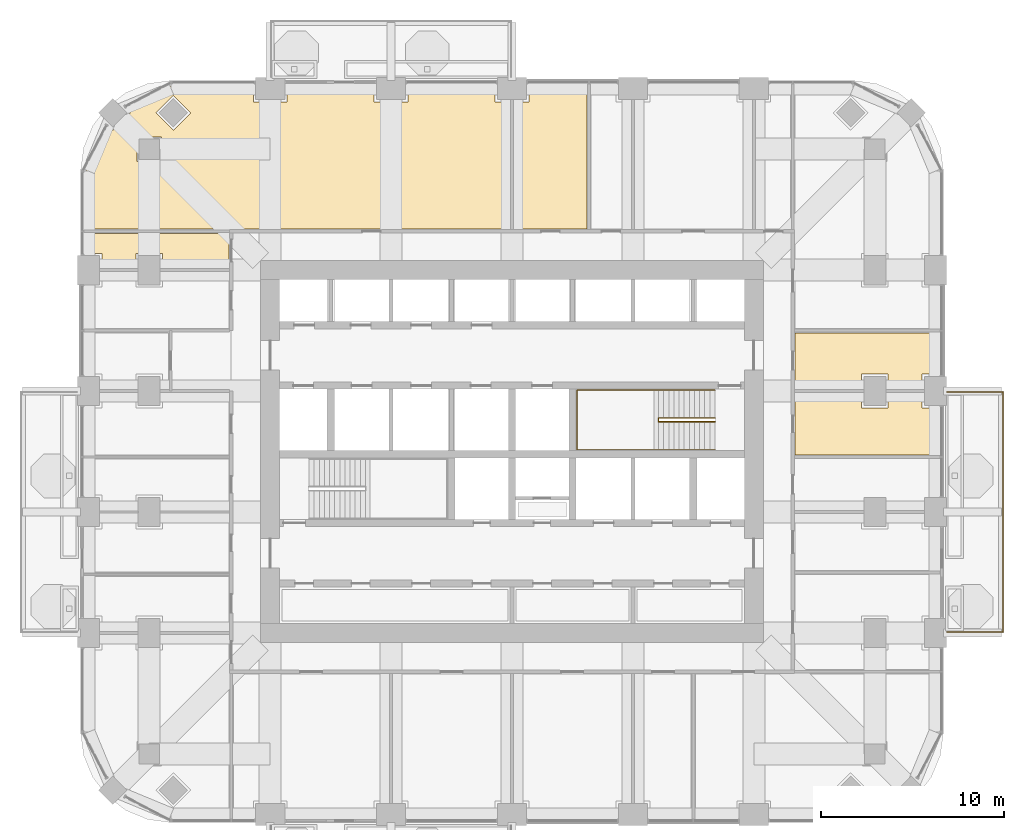
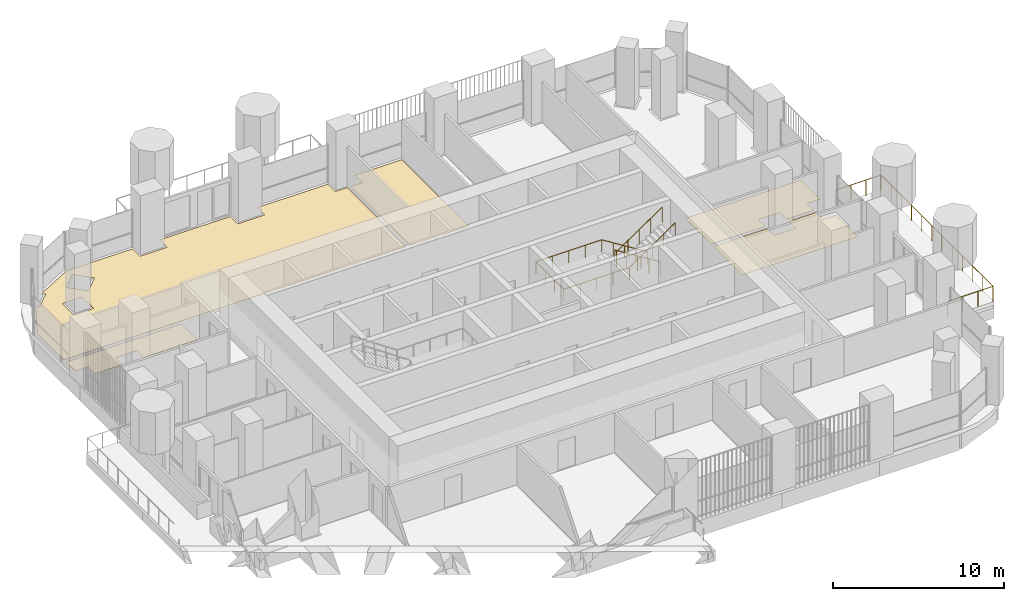
# One storey, part 18 of 20: 5 coverings, 3 railings.
"""IFC4 building model written with IfcOpenShell, lengths in metres."""

from ifc_helpers import new_model, si_unit, direction, frame, origin, place, context, subcontext, project, spatial, polyline, outline, extrude, material, layer, layer_set, type_object, element, save


model = new_model("IFC4")

# Units and contexts
model_context = context("Model", 3, precision=1e-05, world=origin(), true_north=direction((0.0, 1.0)))
body_context = subcontext(model_context, "Body", "Model", "MODEL_VIEW")
ifc_project = project(units=[si_unit("LENGTHUNIT", "METRE"), si_unit("AREAUNIT", "SQUARE_METRE"), si_unit("VOLUMEUNIT", "CUBIC_METRE"), si_unit("PLANEANGLEUNIT", "RADIAN"), si_unit("MASSUNIT", "GRAM", prefix="KILO")], contexts=[model_context])

# Site, building, storey
site_placement = place(None, origin())
site = spatial("IfcSite", under=ifc_project, at=site_placement, CompositionType="ELEMENT")
building_placement = place(site_placement, origin())
building = spatial("IfcBuilding", under=site, at=building_placement, Name="Cobogo Forest Laboratory Tower", CompositionType="ELEMENT")
storey_placement = place(building_placement, frame((0.0, 0.0, 185.10009765625)))
storey = spatial("IfcBuildingStorey", under=building, at=storey_placement, Name="L42", CompositionType="ELEMENT", Elevation=185.10009765625)

# Railing
ifc_material_1 = material(Name="Laminated glass balustrade", Category="glass")
railing_type_1 = type_object("IfcRailingType", Name="BG1 glass balustrade 1100", PredefinedType="GUARDRAIL", material=ifc_material_1)
railing_1_placement = place(storey_placement, frame((50.14990234375, 13.25, 0.0)))
element("IfcRailing", 1, at=railing_1_placement, inside=storey, type_object=railing_type_1, Name="Balcony balustrade BAL-E1 L42", PredefinedType="GUARDRAIL", context=body_context, shape_type="SweptSolid", body=[
    extrude(outline(polyline([(0.022216796875, 0.00927734375), (0.00927734375, 0.022216796875), (-0.00927734375, 0.022216796875), (-0.022216796875, 0.00927734375), (-0.022216796875, -0.00927734375), (-0.00927734375, -0.022216796875), (0.00927734375, -0.022216796875), (0.022216796875, -0.00927734375), (0.022216796875, 0.00927734375)])), frame((0.0, 0.0, 1.077880859375), z_axis=(1.0, 0.0, 0.0), x_axis=(0.0, 1.0, 0.0)), (0.0, 0.0, 1.0), 3.050048828125),
    extrude(outline(polyline([(0.022216796875, 0.00927734375), (0.00927734375, 0.022216796875), (-0.00927734375, 0.022216796875), (-0.022216796875, 0.00927734375), (-0.022216796875, -0.00927734375), (-0.00927734375, -0.022216796875), (0.00927734375, -0.022216796875), (0.022216796875, -0.00927734375), (0.022216796875, 0.00927734375)])), frame((3.050048828125, 0.0, 1.077880859375), z_axis=(0.0, 1.0, 0.0), x_axis=(-1.0, 0.0, 0.0)), (0.0, 0.0, 1.0), 13.10009765625),
    extrude(outline(polyline([(0.022216796875, 0.00927734375), (0.00927734375, 0.022216796875), (-0.00927734375, 0.022216796875), (-0.022216796875, 0.00927734375), (-0.022216796875, -0.00927734375), (-0.00927734375, -0.022216796875), (0.00927734375, -0.022216796875), (0.022216796875, -0.00927734375), (0.022216796875, 0.00927734375)])), frame((3.050048828125, 13.10009765625, 1.077880859375), z_axis=(-1.0, 0.0, 0.0), x_axis=(0.0, -1.0, 0.0)), (0.0, 0.0, 1.0), 3.050048828125),
    extrude(outline(polyline([(0.019287109375, 0.008056640625), (0.008056640625, 0.019287109375), (-0.008056640625, 0.019287109375), (-0.019287109375, 0.008056640625), (-0.019287109375, -0.008056640625), (-0.008056640625, -0.019287109375), (0.008056640625, -0.019287109375), (0.019287109375, -0.008056640625), (0.019287109375, 0.008056640625)])), origin(), (0.0, 0.0, 1.0), 1.077880859375),
    extrude(outline(polyline([(0.019287109375, 0.008056640625), (0.008056640625, 0.019287109375), (-0.008056640625, 0.019287109375), (-0.019287109375, 0.008056640625), (-0.019287109375, -0.008056640625), (-0.008056640625, -0.019287109375), (0.008056640625, -0.019287109375), (0.019287109375, -0.008056640625), (0.019287109375, 0.008056640625)])), frame((1.0166015625, 0.0, 0.0)), (0.0, 0.0, 1.0), 1.077880859375),
    extrude(outline(polyline([(0.019287109375, 0.008056640625), (0.008056640625, 0.019287109375), (-0.008056640625, 0.019287109375), (-0.019287109375, 0.008056640625), (-0.019287109375, -0.008056640625), (-0.008056640625, -0.019287109375), (0.008056640625, -0.019287109375), (0.019287109375, -0.008056640625), (0.019287109375, 0.008056640625)])), frame((2.033447265625, 0.0, 0.0)), (0.0, 0.0, 1.0), 1.077880859375),
    extrude(outline(polyline([(0.019287109375, 0.008056640625), (0.008056640625, 0.019287109375), (-0.008056640625, 0.019287109375), (-0.019287109375, 0.008056640625), (-0.019287109375, -0.008056640625), (-0.008056640625, -0.019287109375), (0.008056640625, -0.019287109375), (0.019287109375, -0.008056640625), (0.019287109375, 0.008056640625)])), frame((3.050048828125, 0.0, 0.0)), (0.0, 0.0, 1.0), 1.077880859375),
    extrude(outline(polyline([(0.019287109375, 0.008056640625), (0.008056640625, 0.019287109375), (-0.008056640625, 0.019287109375), (-0.019287109375, 0.008056640625), (-0.019287109375, -0.008056640625), (-0.008056640625, -0.019287109375), (0.008056640625, -0.019287109375), (0.019287109375, -0.008056640625), (0.019287109375, 0.008056640625)])), frame((3.050048828125, 1.19091796875, 0.0)), (0.0, 0.0, 1.0), 1.077880859375),
    extrude(outline(polyline([(0.019287109375, 0.008056640625), (0.008056640625, 0.019287109375), (-0.008056640625, 0.019287109375), (-0.019287109375, 0.008056640625), (-0.019287109375, -0.008056640625), (-0.008056640625, -0.019287109375), (0.008056640625, -0.019287109375), (0.019287109375, -0.008056640625), (0.019287109375, 0.008056640625)])), frame((3.050048828125, 2.3818359375, 0.0)), (0.0, 0.0, 1.0), 1.077880859375),
    extrude(outline(polyline([(0.019287109375, 0.008056640625), (0.008056640625, 0.019287109375), (-0.008056640625, 0.019287109375), (-0.019287109375, 0.008056640625), (-0.019287109375, -0.008056640625), (-0.008056640625, -0.019287109375), (0.008056640625, -0.019287109375), (0.019287109375, -0.008056640625), (0.019287109375, 0.008056640625)])), frame((3.050048828125, 3.57275390625, 0.0)), (0.0, 0.0, 1.0), 1.077880859375),
    extrude(outline(polyline([(0.019287109375, 0.008056640625), (0.008056640625, 0.019287109375), (-0.008056640625, 0.019287109375), (-0.019287109375, 0.008056640625), (-0.019287109375, -0.008056640625), (-0.008056640625, -0.019287109375), (0.008056640625, -0.019287109375), (0.019287109375, -0.008056640625), (0.019287109375, 0.008056640625)])), frame((3.050048828125, 4.763671875, 0.0)), (0.0, 0.0, 1.0), 1.077880859375),
    extrude(outline(polyline([(0.019287109375, 0.008056640625), (0.008056640625, 0.019287109375), (-0.008056640625, 0.019287109375), (-0.019287109375, 0.008056640625), (-0.019287109375, -0.008056640625), (-0.008056640625, -0.019287109375), (0.008056640625, -0.019287109375), (0.019287109375, -0.008056640625), (0.019287109375, 0.008056640625)])), frame((3.050048828125, 5.95458984375, 0.0)), (0.0, 0.0, 1.0), 1.077880859375),
    extrude(outline(polyline([(0.019287109375, 0.008056640625), (0.008056640625, 0.019287109375), (-0.008056640625, 0.019287109375), (-0.019287109375, 0.008056640625), (-0.019287109375, -0.008056640625), (-0.008056640625, -0.019287109375), (0.008056640625, -0.019287109375), (0.019287109375, -0.008056640625), (0.019287109375, 0.008056640625)])), frame((3.050048828125, 7.1455078125, 0.0)), (0.0, 0.0, 1.0), 1.077880859375),
    extrude(outline(polyline([(0.019287109375, 0.008056640625), (0.008056640625, 0.019287109375), (-0.008056640625, 0.019287109375), (-0.019287109375, 0.008056640625), (-0.019287109375, -0.008056640625), (-0.008056640625, -0.019287109375), (0.008056640625, -0.019287109375), (0.019287109375, -0.008056640625), (0.019287109375, 0.008056640625)])), frame((3.050048828125, 8.33642578125, 0.0)), (0.0, 0.0, 1.0), 1.077880859375),
    extrude(outline(polyline([(0.019287109375, 0.008056640625), (0.008056640625, 0.019287109375), (-0.008056640625, 0.019287109375), (-0.019287109375, 0.008056640625), (-0.019287109375, -0.008056640625), (-0.008056640625, -0.019287109375), (0.008056640625, -0.019287109375), (0.019287109375, -0.008056640625), (0.019287109375, 0.008056640625)])), frame((3.050048828125, 9.52734375, 0.0)), (0.0, 0.0, 1.0), 1.077880859375),
    extrude(outline(polyline([(0.019287109375, 0.008056640625), (0.008056640625, 0.019287109375), (-0.008056640625, 0.019287109375), (-0.019287109375, 0.008056640625), (-0.019287109375, -0.008056640625), (-0.008056640625, -0.019287109375), (0.008056640625, -0.019287109375), (0.019287109375, -0.008056640625), (0.019287109375, 0.008056640625)])), frame((3.050048828125, 10.71826171875, 0.0)), (0.0, 0.0, 1.0), 1.077880859375),
    extrude(outline(polyline([(0.019287109375, 0.008056640625), (0.008056640625, 0.019287109375), (-0.008056640625, 0.019287109375), (-0.019287109375, 0.008056640625), (-0.019287109375, -0.008056640625), (-0.008056640625, -0.019287109375), (0.008056640625, -0.019287109375), (0.019287109375, -0.008056640625), (0.019287109375, 0.008056640625)])), frame((3.050048828125, 11.9091796875, 0.0)), (0.0, 0.0, 1.0), 1.077880859375),
    extrude(outline(polyline([(0.019287109375, 0.008056640625), (0.008056640625, 0.019287109375), (-0.008056640625, 0.019287109375), (-0.019287109375, 0.008056640625), (-0.019287109375, -0.008056640625), (-0.008056640625, -0.019287109375), (0.008056640625, -0.019287109375), (0.019287109375, -0.008056640625), (0.019287109375, 0.008056640625)])), frame((3.050048828125, 13.10009765625, 0.0)), (0.0, 0.0, 1.0), 1.077880859375),
    extrude(outline(polyline([(0.019287109375, 0.008056640625), (0.008056640625, 0.019287109375), (-0.008056640625, 0.019287109375), (-0.019287109375, 0.008056640625), (-0.019287109375, -0.008056640625), (-0.008056640625, -0.019287109375), (0.008056640625, -0.019287109375), (0.019287109375, -0.008056640625), (0.019287109375, 0.008056640625)])), frame((2.033447265625, 13.10009765625, 0.0)), (0.0, 0.0, 1.0), 1.077880859375),
    extrude(outline(polyline([(0.019287109375, 0.008056640625), (0.008056640625, 0.019287109375), (-0.008056640625, 0.019287109375), (-0.019287109375, 0.008056640625), (-0.019287109375, -0.008056640625), (-0.008056640625, -0.019287109375), (0.008056640625, -0.019287109375), (0.019287109375, -0.008056640625), (0.019287109375, 0.008056640625)])), frame((1.0166015625, 13.10009765625, 0.0)), (0.0, 0.0, 1.0), 1.077880859375),
    extrude(outline(polyline([(0.019287109375, 0.008056640625), (0.008056640625, 0.019287109375), (-0.008056640625, 0.019287109375), (-0.019287109375, 0.008056640625), (-0.019287109375, -0.008056640625), (-0.008056640625, -0.019287109375), (0.008056640625, -0.019287109375), (0.019287109375, -0.008056640625), (0.019287109375, 0.008056640625)])), frame((0.0, 13.10009765625, 0.0)), (0.0, 0.0, 1.0), 1.077880859375),
])

# Coverings
ifc_material_2 = material(Name="Carpet tile on raised access floor", Category="flooring")
ifc_layer_1 = layer(ifc_material_2, 0.008056640625)
ifc_layer_set_1 = layer_set([ifc_layer_1], Name="CT1 carpet tile floor 8")
covering_type_1 = type_object("IfcCoveringType", Name="CT1 carpet tile floor 8", PredefinedType="FLOORING", material=ifc_layer_set_1)
covering_1_placement = place(storey_placement, origin())
element("IfcCovering", 2, at=covering_1_placement, inside=storey, type_object=covering_type_1, Name="Carpet floor L42-10", PredefinedType="FLOORING", context=body_context, shape_type="SweptSolid", body=[
    extrude(outline(polyline([(41.844970703125, 29.580078125), (49.64990234375, 29.580078125), (49.64990234375, 27.320068359375), (48.780029296875, 27.320068359375), (48.780029296875, 26.52001953125), (46.919921875, 26.52001953125), (46.919921875, 27.320068359375), (45.47998046875, 27.320068359375), (45.47998046875, 26.52001953125), (41.844970703125, 26.52001953125), (41.844970703125, 29.580078125)])), origin(), (0.0, 0.0, 1.0), 0.0078125),
])
covering_2_placement = place(storey_placement, origin())
element("IfcCovering", 3, at=covering_2_placement, inside=storey, type_object=covering_type_1, Name="Carpet floor L42-12", PredefinedType="FLOORING", context=body_context, shape_type="SweptSolid", body=[
    extrude(outline(polyline([(3.14990234375, 35.2451171875), (3.14990234375, 38.350830078125), (4.440185546875, 40.812255859375), (4.617919921875, 40.634521484375), (5.5654296875, 41.58203125), (5.387939453125, 41.759765625), (7.84912109375, 43.050048828125), (12.280029296875, 43.050048828125), (12.280029296875, 42.179931640625), (14.1201171875, 42.179931640625), (14.1201171875, 43.050048828125), (18.8798828125, 43.050048828125), (18.8798828125, 42.179931640625), (20.719970703125, 42.179931640625), (20.719970703125, 43.050048828125), (25.47998046875, 43.050048828125), (25.47998046875, 42.179931640625), (26.280029296875, 42.179931640625), (26.280029296875, 35.2451171875), (3.14990234375, 35.2451171875)]), holes=[polyline([(7.91796875, 40.634521484375), (8.865478515625, 41.58203125), (7.91796875, 42.529541015625), (6.970458984375, 41.58203125), (7.91796875, 40.634521484375)]), polyline([(5.929931640625, 38.929931640625), (7.27001953125, 38.929931640625), (7.27001953125, 40.27001953125), (5.929931640625, 40.27001953125), (5.929931640625, 38.929931640625)])]), origin(), (0.0, 0.0, 1.0), 0.0078125),
])
covering_3_placement = place(storey_placement, origin())
element("IfcCovering", 4, at=covering_3_placement, inside=storey, type_object=covering_type_1, Name="Carpet floor L42-13", PredefinedType="FLOORING", context=body_context, shape_type="SweptSolid", body=[
    extrude(outline(polyline([(26.52001953125, 35.2451171875), (26.52001953125, 42.179931640625), (27.320068359375, 42.179931640625), (27.320068359375, 43.050048828125), (30.47998046875, 43.050048828125), (30.47998046875, 35.2451171875), (26.52001953125, 35.2451171875)])), origin(), (0.0, 0.0, 1.0), 0.0078125),
])

# Railings
ifc_material_3 = material(Name="Steel balustrade", Category="steel")
railing_type_2 = type_object("IfcRailingType", Name="GR stair guard 1100", PredefinedType="GUARDRAIL", material=ifc_material_3)
railing_2_placement = place(storey_placement, frame((37.47509765625, 24.929931640625, 0.1748046875)))
element("IfcRailing", 5, at=railing_2_placement, inside=storey, type_object=railing_type_2, Name="Stair guard ST2 L42", PredefinedType="GUARDRAIL", context=body_context, shape_type="SweptSolid", body=[
    extrude(outline(polyline([(0.022216796875, 0.00927734375), (0.00927734375, 0.022216796875), (-0.00927734375, 0.022216796875), (-0.022216796875, 0.00927734375), (-0.022216796875, -0.00927734375), (-0.00927734375, -0.022216796875), (0.00927734375, -0.022216796875), (0.022216796875, -0.00927734375), (0.022216796875, 0.00927734375)])), frame((0.0, 0.0, 1.077880859375), z_axis=(-0.847998304005, 0.0, 0.529998940003), x_axis=(0.0, -1.0, 0.0)), (0.0, 0.0, 1.0), 3.632080078125),
    extrude(outline(polyline([(0.022216796875, 0.00927734375), (0.00927734375, 0.022216796875), (-0.00927734375, 0.022216796875), (-0.022216796875, 0.00927734375), (-0.022216796875, -0.00927734375), (-0.00927734375, -0.022216796875), (0.00927734375, -0.022216796875), (0.022216796875, -0.00927734375), (0.022216796875, 0.00927734375)])), frame((-3.080078125, 0.0, 3.0029296875), z_axis=(0.0, -1.0, 0.0), x_axis=(1.0, 0.0, 0.0)), (0.0, 0.0, 1.0), 0.2099609375),
    extrude(outline(polyline([(0.022216796875, 0.00927734375), (0.00927734375, 0.022216796875), (-0.00927734375, 0.022216796875), (-0.022216796875, 0.00927734375), (-0.022216796875, -0.00927734375), (-0.00927734375, -0.022216796875), (0.00927734375, -0.022216796875), (0.022216796875, -0.00927734375), (0.022216796875, 0.00927734375)])), frame((-3.080078125, -0.2099609375, 3.0029296875), z_axis=(0.826221800596, 0.0, 0.563344953133), x_axis=(0.0, 1.0, 0.0)), (0.0, 0.0, 1.0), 3.72802734375),
    extrude(outline(polyline([(0.019287109375, 0.008056640625), (0.008056640625, 0.019287109375), (-0.008056640625, 0.019287109375), (-0.019287109375, 0.008056640625), (-0.019287109375, -0.008056640625), (-0.008056640625, -0.019287109375), (0.008056640625, -0.019287109375), (0.019287109375, -0.008056640625), (0.019287109375, 0.008056640625)])), origin(), (0.0, 0.0, 1.0), 1.077880859375),
    extrude(outline(polyline([(0.019287109375, 0.008056640625), (0.008056640625, 0.019287109375), (-0.008056640625, 0.019287109375), (-0.019287109375, 0.008056640625), (-0.019287109375, -0.008056640625), (-0.008056640625, -0.019287109375), (0.008056640625, -0.019287109375), (0.019287109375, -0.008056640625), (0.019287109375, 0.008056640625)])), frame((-0.77001953125, 0.0, 0.481201171875)), (0.0, 0.0, 1.0), 1.077880859375),
    extrude(outline(polyline([(0.019287109375, 0.008056640625), (0.008056640625, 0.019287109375), (-0.008056640625, 0.019287109375), (-0.019287109375, 0.008056640625), (-0.019287109375, -0.008056640625), (-0.008056640625, -0.019287109375), (0.008056640625, -0.019287109375), (0.019287109375, -0.008056640625), (0.019287109375, 0.008056640625)])), frame((-1.5400390625, 0.0, 0.96240234375)), (0.0, 0.0, 1.0), 1.077880859375),
    extrude(outline(polyline([(0.019287109375, 0.008056640625), (0.008056640625, 0.019287109375), (-0.008056640625, 0.019287109375), (-0.019287109375, 0.008056640625), (-0.019287109375, -0.008056640625), (-0.008056640625, -0.019287109375), (0.008056640625, -0.019287109375), (0.019287109375, -0.008056640625), (0.019287109375, 0.008056640625)])), frame((-2.31005859375, 0.0, 1.44384765625)), (0.0, 0.0, 1.0), 1.077880859375),
    extrude(outline(polyline([(0.019287109375, 0.008056640625), (0.008056640625, 0.019287109375), (-0.008056640625, 0.019287109375), (-0.019287109375, 0.008056640625), (-0.019287109375, -0.008056640625), (-0.008056640625, -0.019287109375), (0.008056640625, -0.019287109375), (0.019287109375, -0.008056640625), (0.019287109375, 0.008056640625)])), frame((-3.080078125, 0.0, 1.925048828125)), (0.0, 0.0, 1.0), 1.077880859375),
    extrude(outline(polyline([(0.019287109375, 0.008056640625), (0.008056640625, 0.019287109375), (-0.008056640625, 0.019287109375), (-0.019287109375, 0.008056640625), (-0.019287109375, -0.008056640625), (-0.008056640625, -0.019287109375), (0.008056640625, -0.019287109375), (0.019287109375, -0.008056640625), (0.019287109375, 0.008056640625)])), frame((-3.080078125, -0.2099609375, 1.925048828125)), (0.0, 0.0, 1.0), 1.077880859375),
    extrude(outline(polyline([(0.019287109375, 0.008056640625), (0.008056640625, 0.019287109375), (-0.008056640625, 0.019287109375), (-0.019287109375, 0.008056640625), (-0.019287109375, -0.008056640625), (-0.008056640625, -0.019287109375), (0.008056640625, -0.019287109375), (0.019287109375, -0.008056640625), (0.019287109375, 0.008056640625)])), frame((-2.31005859375, -0.2099609375, 2.4501953125)), (0.0, 0.0, 1.0), 1.077880859375),
    extrude(outline(polyline([(0.019287109375, 0.008056640625), (0.008056640625, 0.019287109375), (-0.008056640625, 0.019287109375), (-0.019287109375, 0.008056640625), (-0.019287109375, -0.008056640625), (-0.008056640625, -0.019287109375), (0.008056640625, -0.019287109375), (0.019287109375, -0.008056640625), (0.019287109375, 0.008056640625)])), frame((-1.5400390625, -0.2099609375, 2.97509765625)), (0.0, 0.0, 1.0), 1.077880859375),
    extrude(outline(polyline([(0.019287109375, 0.008056640625), (0.008056640625, 0.019287109375), (-0.008056640625, 0.019287109375), (-0.019287109375, 0.008056640625), (-0.019287109375, -0.008056640625), (-0.008056640625, -0.019287109375), (0.008056640625, -0.019287109375), (0.019287109375, -0.008056640625), (0.019287109375, 0.008056640625)])), frame((-0.77001953125, -0.2099609375, 3.5)), (0.0, 0.0, 1.0), 1.077880859375),
    extrude(outline(polyline([(0.019287109375, 0.008056640625), (0.008056640625, 0.019287109375), (-0.008056640625, 0.019287109375), (-0.019287109375, 0.008056640625), (-0.019287109375, -0.008056640625), (-0.008056640625, -0.019287109375), (0.008056640625, -0.019287109375), (0.019287109375, -0.008056640625), (0.019287109375, 0.008056640625)])), frame((0.0, -0.2099609375, 4.025146484375)), (0.0, 0.0, 1.0), 1.077880859375),
])
ifc_material_4 = material(Name="Stainless steel handrail", Category="steel")
railing_type_3 = type_object("IfcRailingType", Name="HR handrail 900", PredefinedType="HANDRAIL", material=ifc_material_4)
railing_3_placement = place(storey_placement, frame((37.47509765625, 26.449951171875, 0.1748046875)))
element("IfcRailing", 6, at=railing_3_placement, inside=storey, type_object=railing_type_3, Name="Stair handrail ST2 L42", PredefinedType="HANDRAIL", context=body_context, shape_type="SweptSolid", body=[
    extrude(outline(polyline([(0.022216796875, 0.00927734375), (0.00927734375, 0.022216796875), (-0.00927734375, 0.022216796875), (-0.022216796875, 0.00927734375), (-0.022216796875, -0.00927734375), (-0.00927734375, -0.022216796875), (0.00927734375, -0.022216796875), (0.022216796875, -0.00927734375), (0.022216796875, 0.00927734375)])), frame((0.0, 0.0, 0.877685546875), z_axis=(-0.847998304005, 0.0, 0.529998940003), x_axis=(0.0, -1.0, 0.0)), (0.0, 0.0, 1.0), 3.632080078125),
    extrude(outline(polyline([(0.022216796875, 0.00927734375), (0.00927734375, 0.022216796875), (-0.00927734375, 0.022216796875), (-0.022216796875, 0.00927734375), (-0.022216796875, -0.00927734375), (-0.00927734375, -0.022216796875), (0.00927734375, -0.022216796875), (0.022216796875, -0.00927734375), (0.022216796875, 0.00927734375)])), frame((-3.080078125, 0.0, 2.802734375), z_axis=(-1.0, 0.0, 0.0), x_axis=(0.0, -1.0, 0.0)), (0.0, 0.0, 1.0), 4.445068359375),
    extrude(outline(polyline([(0.022216796875, 0.00927734375), (0.00927734375, 0.022216796875), (-0.00927734375, 0.022216796875), (-0.022216796875, 0.00927734375), (-0.022216796875, -0.00927734375), (-0.00927734375, -0.022216796875), (0.00927734375, -0.022216796875), (0.022216796875, -0.00927734375), (0.022216796875, 0.00927734375)])), frame((-7.525146484375, 0.0, 2.802734375), z_axis=(0.0, -1.0, 0.0), x_axis=(1.0, 0.0, 0.0)), (0.0, 0.0, 1.0), 3.25),
    extrude(outline(polyline([(0.022216796875, 0.00927734375), (0.00927734375, 0.022216796875), (-0.00927734375, 0.022216796875), (-0.022216796875, 0.00927734375), (-0.022216796875, -0.00927734375), (-0.00927734375, -0.022216796875), (0.00927734375, -0.022216796875), (0.022216796875, -0.00927734375), (0.022216796875, 0.00927734375)])), frame((-7.525146484375, -3.25, 2.802734375), z_axis=(1.0, 0.0, 0.0), x_axis=(0.0, 1.0, 0.0)), (0.0, 0.0, 1.0), 4.445068359375),
    extrude(outline(polyline([(0.022216796875, 0.00927734375), (0.00927734375, 0.022216796875), (-0.00927734375, 0.022216796875), (-0.022216796875, 0.00927734375), (-0.022216796875, -0.00927734375), (-0.00927734375, -0.022216796875), (0.00927734375, -0.022216796875), (0.022216796875, -0.00927734375), (0.022216796875, 0.00927734375)])), frame((-3.080078125, -3.25, 2.802734375), z_axis=(0.826221800596, 0.0, 0.563344953133), x_axis=(0.0, 1.0, 0.0)), (0.0, 0.0, 1.0), 3.72802734375),
    extrude(outline(polyline([(0.019287109375, 0.008056640625), (0.008056640625, 0.019287109375), (-0.008056640625, 0.019287109375), (-0.019287109375, 0.008056640625), (-0.019287109375, -0.008056640625), (-0.008056640625, -0.019287109375), (0.008056640625, -0.019287109375), (0.019287109375, -0.008056640625), (0.019287109375, 0.008056640625)])), origin(), (0.0, 0.0, 1.0), 0.877685546875),
    extrude(outline(polyline([(0.019287109375, 0.008056640625), (0.008056640625, 0.019287109375), (-0.008056640625, 0.019287109375), (-0.019287109375, 0.008056640625), (-0.019287109375, -0.008056640625), (-0.008056640625, -0.019287109375), (0.008056640625, -0.019287109375), (0.019287109375, -0.008056640625), (0.019287109375, 0.008056640625)])), frame((-0.77001953125, 0.0, 0.481201171875)), (0.0, 0.0, 1.0), 0.877685546875),
    extrude(outline(polyline([(0.019287109375, 0.008056640625), (0.008056640625, 0.019287109375), (-0.008056640625, 0.019287109375), (-0.019287109375, 0.008056640625), (-0.019287109375, -0.008056640625), (-0.008056640625, -0.019287109375), (0.008056640625, -0.019287109375), (0.019287109375, -0.008056640625), (0.019287109375, 0.008056640625)])), frame((-1.5400390625, 0.0, 0.96240234375)), (0.0, 0.0, 1.0), 0.877685546875),
    extrude(outline(polyline([(0.019287109375, 0.008056640625), (0.008056640625, 0.019287109375), (-0.008056640625, 0.019287109375), (-0.019287109375, 0.008056640625), (-0.019287109375, -0.008056640625), (-0.008056640625, -0.019287109375), (0.008056640625, -0.019287109375), (0.019287109375, -0.008056640625), (0.019287109375, 0.008056640625)])), frame((-2.31005859375, 0.0, 1.44384765625)), (0.0, 0.0, 1.0), 0.877685546875),
    extrude(outline(polyline([(0.019287109375, 0.008056640625), (0.008056640625, 0.019287109375), (-0.008056640625, 0.019287109375), (-0.019287109375, 0.008056640625), (-0.019287109375, -0.008056640625), (-0.008056640625, -0.019287109375), (0.008056640625, -0.019287109375), (0.019287109375, -0.008056640625), (0.019287109375, 0.008056640625)])), frame((-3.080078125, 0.0, 1.925048828125)), (0.0, 0.0, 1.0), 0.877685546875),
    extrude(outline(polyline([(0.019287109375, 0.008056640625), (0.008056640625, 0.019287109375), (-0.008056640625, 0.019287109375), (-0.019287109375, 0.008056640625), (-0.019287109375, -0.008056640625), (-0.008056640625, -0.019287109375), (0.008056640625, -0.019287109375), (0.019287109375, -0.008056640625), (0.019287109375, 0.008056640625)])), frame((-4.19140625, 0.0, 1.925048828125)), (0.0, 0.0, 1.0), 0.877685546875),
    extrude(outline(polyline([(0.019287109375, 0.008056640625), (0.008056640625, 0.019287109375), (-0.008056640625, 0.019287109375), (-0.019287109375, 0.008056640625), (-0.019287109375, -0.008056640625), (-0.008056640625, -0.019287109375), (0.008056640625, -0.019287109375), (0.019287109375, -0.008056640625), (0.019287109375, 0.008056640625)])), frame((-5.302734375, 0.0, 1.925048828125)), (0.0, 0.0, 1.0), 0.877685546875),
    extrude(outline(polyline([(0.019287109375, 0.008056640625), (0.008056640625, 0.019287109375), (-0.008056640625, 0.019287109375), (-0.019287109375, 0.008056640625), (-0.019287109375, -0.008056640625), (-0.008056640625, -0.019287109375), (0.008056640625, -0.019287109375), (0.019287109375, -0.008056640625), (0.019287109375, 0.008056640625)])), frame((-6.413818359375, 0.0, 1.925048828125)), (0.0, 0.0, 1.0), 0.877685546875),
    extrude(outline(polyline([(0.019287109375, 0.008056640625), (0.008056640625, 0.019287109375), (-0.008056640625, 0.019287109375), (-0.019287109375, 0.008056640625), (-0.019287109375, -0.008056640625), (-0.008056640625, -0.019287109375), (0.008056640625, -0.019287109375), (0.019287109375, -0.008056640625), (0.019287109375, 0.008056640625)])), frame((-7.525146484375, 0.0, 1.925048828125)), (0.0, 0.0, 1.0), 0.877685546875),
    extrude(outline(polyline([(0.019287109375, 0.008056640625), (0.008056640625, 0.019287109375), (-0.008056640625, 0.019287109375), (-0.019287109375, 0.008056640625), (-0.019287109375, -0.008056640625), (-0.008056640625, -0.019287109375), (0.008056640625, -0.019287109375), (0.019287109375, -0.008056640625), (0.019287109375, 0.008056640625)])), frame((-7.525146484375, -1.083251953125, 1.925048828125)), (0.0, 0.0, 1.0), 0.877685546875),
    extrude(outline(polyline([(0.019287109375, 0.008056640625), (0.008056640625, 0.019287109375), (-0.008056640625, 0.019287109375), (-0.019287109375, 0.008056640625), (-0.019287109375, -0.008056640625), (-0.008056640625, -0.019287109375), (0.008056640625, -0.019287109375), (0.019287109375, -0.008056640625), (0.019287109375, 0.008056640625)])), frame((-7.525146484375, -2.166748046875, 1.925048828125)), (0.0, 0.0, 1.0), 0.877685546875),
    extrude(outline(polyline([(0.019287109375, 0.008056640625), (0.008056640625, 0.019287109375), (-0.008056640625, 0.019287109375), (-0.019287109375, 0.008056640625), (-0.019287109375, -0.008056640625), (-0.008056640625, -0.019287109375), (0.008056640625, -0.019287109375), (0.019287109375, -0.008056640625), (0.019287109375, 0.008056640625)])), frame((-7.525146484375, -3.25, 1.925048828125)), (0.0, 0.0, 1.0), 0.877685546875),
    extrude(outline(polyline([(0.019287109375, 0.008056640625), (0.008056640625, 0.019287109375), (-0.008056640625, 0.019287109375), (-0.019287109375, 0.008056640625), (-0.019287109375, -0.008056640625), (-0.008056640625, -0.019287109375), (0.008056640625, -0.019287109375), (0.019287109375, -0.008056640625), (0.019287109375, 0.008056640625)])), frame((-6.413818359375, -3.25, 1.925048828125)), (0.0, 0.0, 1.0), 0.877685546875),
    extrude(outline(polyline([(0.019287109375, 0.008056640625), (0.008056640625, 0.019287109375), (-0.008056640625, 0.019287109375), (-0.019287109375, 0.008056640625), (-0.019287109375, -0.008056640625), (-0.008056640625, -0.019287109375), (0.008056640625, -0.019287109375), (0.019287109375, -0.008056640625), (0.019287109375, 0.008056640625)])), frame((-5.302734375, -3.25, 1.925048828125)), (0.0, 0.0, 1.0), 0.877685546875),
    extrude(outline(polyline([(0.019287109375, 0.008056640625), (0.008056640625, 0.019287109375), (-0.008056640625, 0.019287109375), (-0.019287109375, 0.008056640625), (-0.019287109375, -0.008056640625), (-0.008056640625, -0.019287109375), (0.008056640625, -0.019287109375), (0.019287109375, -0.008056640625), (0.019287109375, 0.008056640625)])), frame((-4.19140625, -3.25, 1.925048828125)), (0.0, 0.0, 1.0), 0.877685546875),
    extrude(outline(polyline([(0.019287109375, 0.008056640625), (0.008056640625, 0.019287109375), (-0.008056640625, 0.019287109375), (-0.019287109375, 0.008056640625), (-0.019287109375, -0.008056640625), (-0.008056640625, -0.019287109375), (0.008056640625, -0.019287109375), (0.019287109375, -0.008056640625), (0.019287109375, 0.008056640625)])), frame((-3.080078125, -3.25, 1.925048828125)), (0.0, 0.0, 1.0), 0.877685546875),
    extrude(outline(polyline([(0.019287109375, 0.008056640625), (0.008056640625, 0.019287109375), (-0.008056640625, 0.019287109375), (-0.019287109375, 0.008056640625), (-0.019287109375, -0.008056640625), (-0.008056640625, -0.019287109375), (0.008056640625, -0.019287109375), (0.019287109375, -0.008056640625), (0.019287109375, 0.008056640625)])), frame((-2.31005859375, -3.25, 2.4501953125)), (0.0, 0.0, 1.0), 0.877685546875),
    extrude(outline(polyline([(0.019287109375, 0.008056640625), (0.008056640625, 0.019287109375), (-0.008056640625, 0.019287109375), (-0.019287109375, 0.008056640625), (-0.019287109375, -0.008056640625), (-0.008056640625, -0.019287109375), (0.008056640625, -0.019287109375), (0.019287109375, -0.008056640625), (0.019287109375, 0.008056640625)])), frame((-1.5400390625, -3.25, 2.97509765625)), (0.0, 0.0, 1.0), 0.877685546875),
    extrude(outline(polyline([(0.019287109375, 0.008056640625), (0.008056640625, 0.019287109375), (-0.008056640625, 0.019287109375), (-0.019287109375, 0.008056640625), (-0.019287109375, -0.008056640625), (-0.008056640625, -0.019287109375), (0.008056640625, -0.019287109375), (0.019287109375, -0.008056640625), (0.019287109375, 0.008056640625)])), frame((-0.77001953125, -3.25, 3.5)), (0.0, 0.0, 1.0), 0.877685546875),
    extrude(outline(polyline([(0.019287109375, 0.008056640625), (0.008056640625, 0.019287109375), (-0.008056640625, 0.019287109375), (-0.019287109375, 0.008056640625), (-0.019287109375, -0.008056640625), (-0.008056640625, -0.019287109375), (0.008056640625, -0.019287109375), (0.019287109375, -0.008056640625), (0.019287109375, 0.008056640625)])), frame((0.0, -3.25, 4.025146484375)), (0.0, 0.0, 1.0), 0.877685546875),
])

# Coverings
ifc_material_5 = material(Name="Static-dissipative vinyl flooring", Category="flooring")
ifc_layer_2 = layer(ifc_material_5, 0.0029296875)
ifc_layer_set_2 = layer_set([ifc_layer_2], Name="SD1 static-dissipative vinyl floor 3")
covering_type_2 = type_object("IfcCoveringType", Name="SD1 static-dissipative vinyl floor 3", PredefinedType="FLOORING", material=ifc_layer_set_2)
covering_4_placement = place(storey_placement, origin())
element("IfcCovering", 7, at=covering_4_placement, inside=storey, type_object=covering_type_2, Name="Static-dissipative floor L42-09", PredefinedType="FLOORING", context=body_context, shape_type="SweptSolid", body=[
    extrude(outline(polyline([(41.844970703125, 26.280029296875), (45.47998046875, 26.280029296875), (45.47998046875, 25.47998046875), (46.919921875, 25.47998046875), (46.919921875, 26.280029296875), (48.780029296875, 26.280029296875), (48.780029296875, 25.47998046875), (49.64990234375, 25.47998046875), (49.64990234375, 22.919921875), (41.844970703125, 22.919921875), (41.844970703125, 26.280029296875)])), origin(), (0.0, 0.0, 1.0), 0.0029296875),
])
covering_5_placement = place(storey_placement, origin())
element("IfcCovering", 8, at=covering_5_placement, inside=storey, type_object=covering_type_2, Name="Static-dissipative floor L42-24", PredefinedType="FLOORING", context=body_context, shape_type="SweptSolid", body=[
    extrude(outline(polyline([(10.955078125, 33.1201171875), (7.320068359375, 33.1201171875), (7.320068359375, 33.919921875), (5.8798828125, 33.919921875), (5.8798828125, 33.1201171875), (4.02001953125, 33.1201171875), (4.02001953125, 33.919921875), (3.14990234375, 33.919921875), (3.14990234375, 35.0048828125), (10.955078125, 35.0048828125), (10.955078125, 33.1201171875)])), origin(), (0.0, 0.0, 1.0), 0.0029296875),
])

save(model, "model.ifc")
